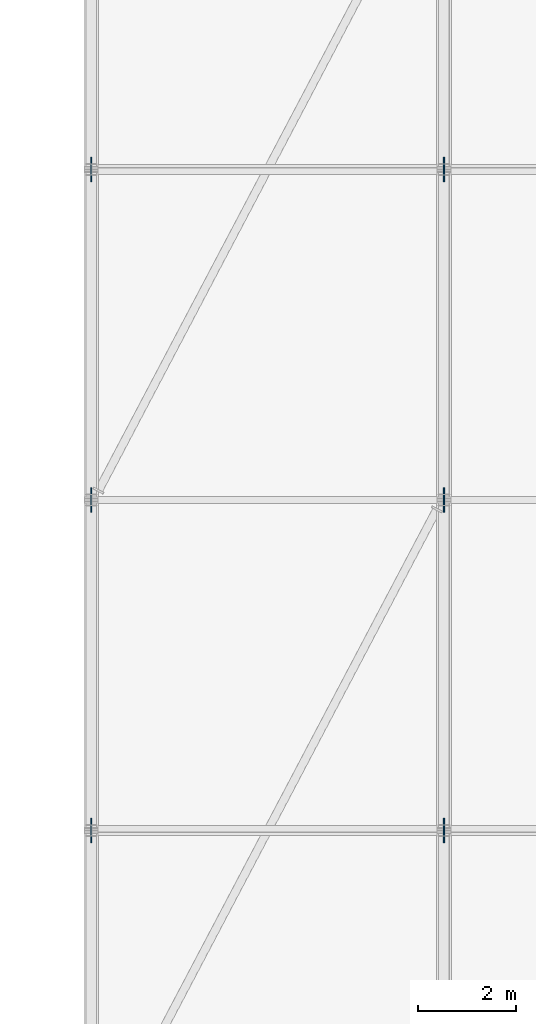
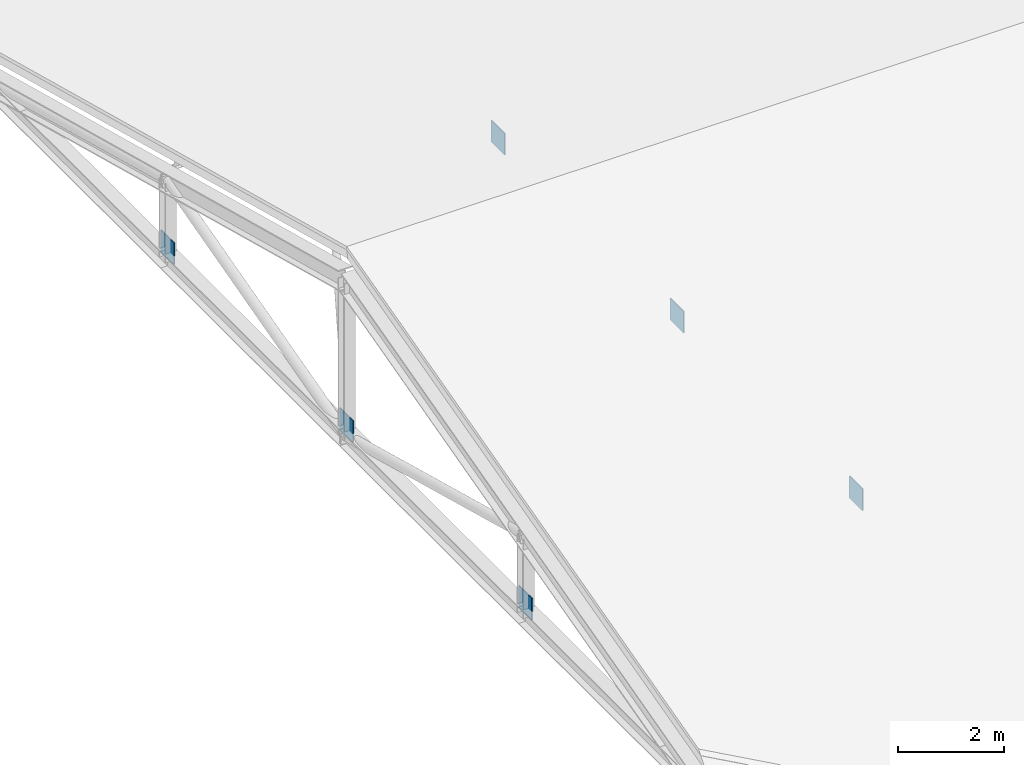
# One storey, part 31 of 57: 6 plates.
"""IFC4 building model written with IfcOpenShell, lengths in metres."""

from ifc_helpers import new_model, si_unit, direction, frame, origin, origin_2d, place, context, subcontext, project, spatial, rectangle, extrude, material, layer, layer_set, type_object, element, save


model = new_model("IFC4")

# Units and contexts
model_context = context("Model", 3, precision=1e-05, world=origin(), true_north=direction((0.0, 1.0)))
body_context = subcontext(model_context, "Body", "Model", "MODEL_VIEW")
ifc_project = project(units=[si_unit("LENGTHUNIT", "METRE"), si_unit("AREAUNIT", "SQUARE_METRE"), si_unit("VOLUMEUNIT", "CUBIC_METRE"), si_unit("PLANEANGLEUNIT", "RADIAN"), si_unit("MASSUNIT", "GRAM", prefix="KILO")], contexts=[model_context])

# Site, building, storey
site_placement = place(None, origin())
site = spatial("IfcSite", under=ifc_project, at=site_placement, CompositionType="ELEMENT")
building_placement = place(site_placement, origin())
building = spatial("IfcBuilding", under=site, at=building_placement, Name="Kelarvand Opera House", CompositionType="ELEMENT")
storey_placement = place(building_placement, frame((0.0, 0.0, 33.60009765625)))
storey = spatial("IfcBuildingStorey", under=building, at=storey_placement, Name="Roof", CompositionType="ELEMENT", Elevation=33.60009765625)

# Plates
ifc_material = material(Name="Steel S355", Category="steel")
ifc_layer = layer(ifc_material, 0.02392578125, Name="Steel S355", Category="steel")
ifc_layer_set = layer_set([ifc_layer], Name="Steel S355")
plate_type = type_object("IfcPlateType", Name="Steel Truss Gusset Plate 24mm", PredefinedType="SHEET", material=ifc_layer_set)
for number, where, z_axis, x_axis, name in (
    (1, (59.199951171875, 55.75, 0.52001953125), (0.0, 0.0, 1.0), (1.0, 0.0, 0.0), "Roof Truss Gusset Plate 62"),
    (2, (59.199951171875, 62.5, 0.52001953125), (0.0, 0.0, 1.0), (1.0, 0.0, 0.0), "Roof Truss Gusset Plate 63"),
    (3, (59.199951171875, 69.25, 0.52001953125), (0.0, 0.0, 1.0), (1.0, 0.0, 0.0), "Roof Truss Gusset Plate 64"),
    (4, (66.39990234375, 55.75, 0.52001953125), (0.0, 0.0, 1.0), (1.0, 0.0, 0.0), "Roof Truss Gusset Plate 65"),
    (5, (66.39990234375, 62.5, 0.52001953125), (0.0, 0.0, 1.0), (1.0, 0.0, 0.0), "Roof Truss Gusset Plate 66"),
    (6, (66.39990234375, 69.25, 0.52001953125), (0.0, 0.0, 1.0), (1.0, 0.0, 0.0), "Roof Truss Gusset Plate 67"),
):
    element("IfcPlate", number, at=place(storey_placement, frame(where, z_axis=z_axis, x_axis=x_axis)), inside=storey, type_object=plate_type, Name=name, PredefinedType="SHEET", context=body_context, shape_type="SweptSolid", body=[
        extrude(rectangle(XDim=0.02392578125, YDim=0.5, at=origin_2d()), origin(), (0.0, 0.0, 1.0), 0.5),
    ])

save(model, "model.ifc")
